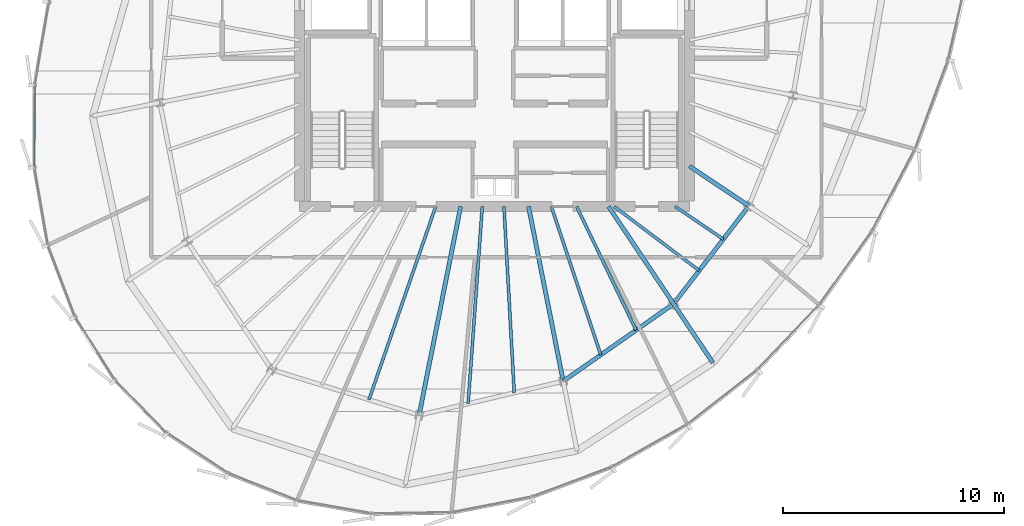
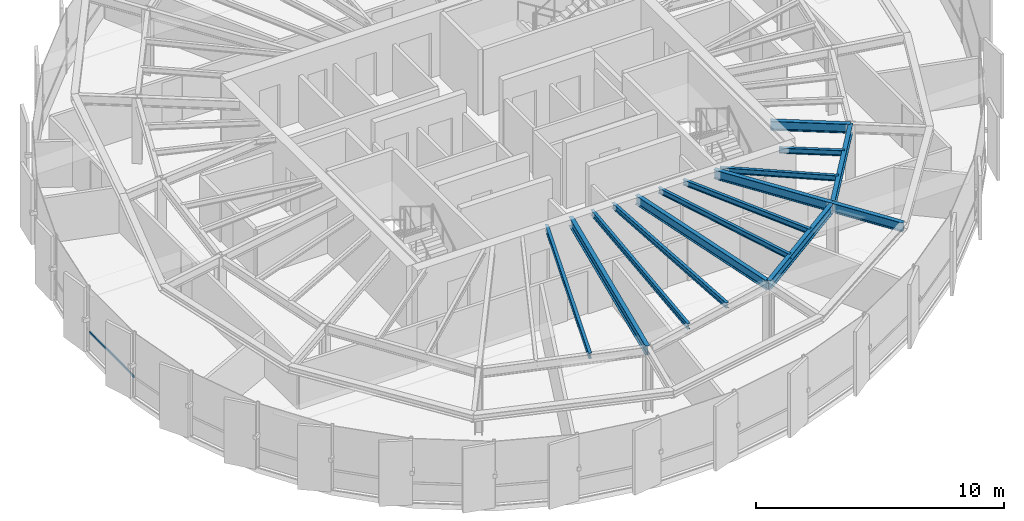
# One storey, part 8 of 33: 14 beams, 1 member, 1 element without a shape of its own.
"""IFC4 building model written with IfcOpenShell, lengths in metres."""

import ifcopenshell
import ifcopenshell.guid

model = None  # the IFC model being written
_history = None  # IfcOwnerHistory: only IFC2X3 demands one
_inside = {}  # id of a spatial element -> (the spatial element, [elements in it])
_under = {}  # id of a project, library or spatial element -> (it, [spatial elements below it])
_declared = {}  # id of a project -> (the project, [libraries it declares])
_typed = {}  # id of a type object -> (the type object, [elements of that type])
_made_of = {}  # id of a material, layer set ... -> (it, [elements and type objects made of it])


def new_model(schema):
    """Start an empty IFC model of exactly this schema.

    Asked for "IFC4X3", IfcOpenShell would pick the latest addendum, in which some entities
    have other attributes; the version numbers below select the first issue.
    IFC2X3 requires an IfcOwnerHistory on every rooted entity: one is made here for all.
    """
    global model, _history
    if schema == "IFC4X3":
        model = ifcopenshell.file(schema_version=(4, 3, 0, 0))
    else:
        model = ifcopenshell.file(schema=schema)
    _inside.clear()
    _under.clear()
    _declared.clear()
    _typed.clear()
    _made_of.clear()
    _history = None
    if model.schema == "IFC2X3":
        org = make("IfcOrganization", Name="unknown")
        user = make(
            "IfcPersonAndOrganization",
            ThePerson=make("IfcPerson", FamilyName="unknown"),
            TheOrganization=org,
        )
        app = make(
            "IfcApplication",
            ApplicationDeveloper=org,
            Version="unknown",
            ApplicationFullName="unknown",
            ApplicationIdentifier="unknown",
        )
        _history = make(
            "IfcOwnerHistory",
            OwningUser=user,
            OwningApplication=app,
            ChangeAction="ADDED",
            CreationDate=0,
        )
    return model


def make(cls, **values):
    """One entity of the class cls with the attributes given. An attribute that is None is left unset."""
    return model.create_entity(
        cls, **{name: value for name, value in values.items() if value is not None}
    )


def rooted(cls, **values):
    """An entity with a GlobalId (a new one), such as an element, a storey or a relation."""
    return make(cls, GlobalId=ifcopenshell.guid.new(), OwnerHistory=_history, **values)


def si_unit(unit_type, name, prefix=None):
    """IfcSIUnit, for example si_unit("LENGTHUNIT", "METRE", prefix="MILLI")."""
    return make("IfcSIUnit", UnitType=unit_type, Prefix=prefix, Name=name)


def assignment(units):
    """IfcUnitAssignment: the units of a project."""
    return None if units is None else make("IfcUnitAssignment", Units=units)


def point(xyz):
    """IfcCartesianPoint."""
    return None if xyz is None else make("IfcCartesianPoint", Coordinates=xyz)


def direction(xyz):
    """IfcDirection."""
    return None if xyz is None else make("IfcDirection", DirectionRatios=xyz)


def frame(location, z_axis=None, x_axis=None):
    """IfcAxis2Placement3D, a coordinate frame: its origin and axes. An axis left out is left unset."""
    return make(
        "IfcAxis2Placement3D",
        Location=point(location),
        Axis=direction(z_axis),
        RefDirection=direction(x_axis),
    )


def frame_2d(location, x_axis=None):
    """IfcAxis2Placement2D, a coordinate frame in the plane: its origin and x axis."""
    return make(
        "IfcAxis2Placement2D", Location=point(location), RefDirection=direction(x_axis)
    )


def origin():
    """The frame at (0, 0, 0) with its axes left unset."""
    return frame((0.0, 0.0, 0.0))


def origin_2d():
    """The frame at (0, 0) in the plane with its x axis left unset."""
    return frame_2d((0.0, 0.0))


def place(relative_to, where):
    """IfcLocalPlacement: puts the frame where relative to a parent placement (None: the world)."""
    return make(
        "IfcLocalPlacement", PlacementRelTo=relative_to, RelativePlacement=where
    )


def context(
    kind, dimensions, precision=None, world=None, true_north=None, identifier=None
):
    """IfcGeometricRepresentationContext, for example the 3D "Model" context."""
    return make(
        "IfcGeometricRepresentationContext",
        ContextIdentifier=identifier,
        ContextType=kind,
        CoordinateSpaceDimension=dimensions,
        Precision=precision,
        WorldCoordinateSystem=world,
        TrueNorth=true_north,
    )


def subcontext(parent, identifier, kind, view, scale=None):
    """IfcGeometricRepresentationSubContext, for example "Body" below "Model"."""
    return make(
        "IfcGeometricRepresentationSubContext",
        ContextIdentifier=identifier,
        ContextType=kind,
        ParentContext=parent,
        TargetScale=scale,
        TargetView=view,
    )


def project(units=None, contexts=None):
    """IfcProject with its units and contexts."""
    return rooted(
        "IfcProject",
        Name="project",
        RepresentationContexts=contexts,
        UnitsInContext=assignment(units),
    )


def spatial(cls, under=None, at=None, **own):
    """A site, building, storey or space (cls), placed at a placement, below another one or the project."""
    s = rooted(cls, ObjectPlacement=at, **own)
    if under is not None:
        _under.setdefault(under.id(), (under, []))[1].append(s)
    return s


def profile(cls, at=None, kind="AREA", **sizes):
    """A parametric profile (cls). Its sizes go by their IFC names, for example OverallWidth=200.0."""
    return make(cls, ProfileType=kind, Position=at, **sizes)


def hollow_rectangle(**sizes):
    """IfcRectangleHollowProfileDef."""
    return profile("IfcRectangleHollowProfileDef", **sizes)


def i_section(**sizes):
    """IfcIShapeProfileDef."""
    return profile("IfcIShapeProfileDef", **sizes)


def extrude(swept, where, along, depth):
    """IfcExtrudedAreaSolid: the profile swept, set in the frame where, extruded along a direction by depth."""
    return make(
        "IfcExtrudedAreaSolid",
        SweptArea=swept,
        Position=where,
        ExtrudedDirection=direction(along),
        Depth=depth,
    )


def shape(context_of_items, identifier, shape_type, items):
    """IfcShapeRepresentation: the items that make up one representation, for example the "Body"."""
    return make(
        "IfcShapeRepresentation",
        ContextOfItems=context_of_items,
        RepresentationIdentifier=identifier,
        RepresentationType=shape_type,
        Items=items,
    )


def source(mapping_origin, context_of_items, identifier, shape_type, items):
    """IfcRepresentationMap: a shape defined once, which mapped items show again and again."""
    return make(
        "IfcRepresentationMap",
        MappingOrigin=mapping_origin,
        MappedRepresentation=shape(context_of_items, identifier, shape_type, items),
    )


def transform(
    local_origin,
    x_axis=None,
    y_axis=None,
    z_axis=None,
    scale=None,
    scale2=None,
    scale3=None,
    uniform=True,
):
    """IfcCartesianTransformationOperator3D, or its non-uniform kind. x_axis, y_axis, z_axis: its Axis1, 2, 3."""
    if uniform:
        return make(
            "IfcCartesianTransformationOperator3D",
            Axis1=direction(x_axis),
            Axis2=direction(y_axis),
            LocalOrigin=point(local_origin),
            Scale=scale,
            Axis3=direction(z_axis),
        )
    return make(
        "IfcCartesianTransformationOperator3DnonUniform",
        Axis1=direction(x_axis),
        Axis2=direction(y_axis),
        LocalOrigin=point(local_origin),
        Scale=scale,
        Axis3=direction(z_axis),
        Scale2=scale2,
        Scale3=scale3,
    )


def mapped(mapping_source, mapping_target):
    """IfcMappedItem: shows the shape of a source again, moved by a transform."""
    return make(
        "IfcMappedItem", MappingSource=mapping_source, MappingTarget=mapping_target
    )


def material(Name=None, Category=None):
    """IfcMaterial."""
    return make("IfcMaterial", Name=Name, Category=Category)


def layer(
    of_material, thickness, ventilated=None, Name=None, Category=None, Priority=None
):
    """IfcMaterialLayer: one layer of a wall or slab, of a material (None: an air gap)."""
    return make(
        "IfcMaterialLayer",
        Material=of_material,
        LayerThickness=thickness,
        IsVentilated=ventilated,
        Name=Name,
        Category=Category,
        Priority=Priority,
    )


def layer_set(layers, Name=None):
    """IfcMaterialLayerSet."""
    return make("IfcMaterialLayerSet", MaterialLayers=layers, LayerSetName=Name)


def material_profile(
    of_material, cross_section, Name=None, Category=None, Priority=None
):
    """IfcMaterialProfile: a cross section and its material."""
    return make(
        "IfcMaterialProfile",
        Name=Name,
        Material=of_material,
        Profile=cross_section,
        Priority=Priority,
        Category=Category,
    )


def profile_set(profiles, Name=None, composite=None):
    """IfcMaterialProfileSet."""
    return make(
        "IfcMaterialProfileSet",
        Name=Name,
        MaterialProfiles=profiles,
        CompositeProfile=composite,
    )


def made_of(thing, what):
    """Note that an element or type object is made of a material, layer set ...; save() writes the relation."""
    if what is not None:
        _made_of.setdefault(what.id(), (what, []))[1].append(thing)
    return thing


def type_object(cls, material=None, **own):
    """A type object (cls), such as IfcWallType, which elements share."""
    return made_of(rooted(cls, **own), material)


def element(
    cls,
    number,
    at=None,
    inside=None,
    cuts=None,
    type_object=None,
    material=None,
    context=None,
    identifier="Body",
    shape_type=None,
    held_by="IfcProductDefinitionShape",
    body=None,
    shapes=None,
    **own,
):
    """One element of the class cls, such as IfcWall. Its Tag is "e" and its number.

    at: its placement. inside: the storey or other place that contains it. cuts: it is an
    opening in that element (IfcRelVoidsElement). A single representation is given by context,
    identifier, shape_type and body (its items); several are given by shapes. held_by: the class
    of the entity that holds the representations. save() writes the other relations.
    """
    e = rooted(cls, Tag="e%d" % number, ObjectPlacement=at, **own)
    if body is not None:
        shapes = [shape(context, identifier, shape_type, body)]
    if shapes is not None:
        e.Representation = make(held_by, Representations=shapes)
    if inside is not None:
        _inside.setdefault(inside.id(), (inside, []))[1].append(e)
    if cuts is not None:
        rooted(
            "IfcRelVoidsElement", RelatingBuildingElement=cuts, RelatedOpeningElement=e
        )
    if type_object is not None:
        _typed.setdefault(type_object.id(), (type_object, []))[1].append(e)
    return made_of(e, material)


def aggregate(whole, parts):
    """IfcRelAggregates: a whole, such as a stair, and the parts it consists of."""
    return rooted("IfcRelAggregates", RelatingObject=whole, RelatedObjects=parts)


def save(model, path):
    """Write the relations noted so far, then the file.

    IfcRelAggregates (storeys below a building ...), IfcRelContainedInSpatialStructure (elements
    in a storey), IfcRelDefinesByType, IfcRelAssociatesMaterial and IfcRelDeclares: one each for
    every whole, place, type object, material and project.
    """
    for whole, parts in _under.values():
        aggregate(whole, parts)
    for where, things in _inside.values():
        rooted(
            "IfcRelContainedInSpatialStructure",
            RelatedElements=things,
            RelatingStructure=where,
        )
    for kind, things in _typed.values():
        rooted("IfcRelDefinesByType", RelatedObjects=things, RelatingType=kind)
    for what, things in _made_of.values():
        rooted("IfcRelAssociatesMaterial", RelatedObjects=things, RelatingMaterial=what)
    for by, libraries in _declared.values():
        rooted("IfcRelDeclares", RelatingContext=by, RelatedDefinitions=libraries)
    model.write(path)


model = new_model("IFC4")

# Units and contexts
model_context = context("Model", 3, precision=1e-05, world=origin(), true_north=direction((0.0, 1.0)))
body_context = subcontext(model_context, "Body", "Model", "MODEL_VIEW")
ifc_project = project(units=[si_unit("LENGTHUNIT", "METRE"), si_unit("AREAUNIT", "SQUARE_METRE"), si_unit("VOLUMEUNIT", "CUBIC_METRE"), si_unit("PLANEANGLEUNIT", "RADIAN"), si_unit("MASSUNIT", "GRAM", prefix="KILO"), si_unit("THERMODYNAMICTEMPERATUREUNIT", "KELVIN")], contexts=[model_context])

# Site, building, storey
site_placement = place(None, origin())
site = spatial("IfcSite", under=ifc_project, at=site_placement, CompositionType="ELEMENT")
building_placement = place(site_placement, origin())
building = spatial("IfcBuilding", under=site, at=building_placement, Name="Kethvar Cultural Tower", CompositionType="ELEMENT")
storey_placement = place(building_placement, frame((0.0, 0.0, 238.75)))
storey = spatial("IfcBuildingStorey", under=building, at=storey_placement, Name="L62", CompositionType="ELEMENT", Elevation=238.75)

# Beams
ifc_material_1 = material(Name="Steel S355J2", Category="steel")
ifc_material_profile_1 = material_profile(ifc_material_1, i_section(OverallWidth=0.18994140625, OverallDepth=0.449951171875, WebThickness=0.009521484375, FlangeThickness=0.0146484375, FilletRadius=0.02099609375, at=origin_2d()), Name="Steel S355J2 — IPE450")
ifc_profile_set_1 = profile_set([ifc_material_profile_1], Name="Steel S355J2 — IPE450")
beam_type_1 = type_object("IfcBeamType", Name="BM-IPE450", PredefinedType="BEAM", material=ifc_profile_set_1)
shared_shape_1 = source(origin(), body_context, "Body", "SweptSolid", [
    extrude(i_section(OverallWidth=0.18994140625, OverallDepth=0.449951171875, WebThickness=0.009521484375, FlangeThickness=0.0146484375, FilletRadius=0.02099609375, at=origin_2d()), origin(), (0.0, 0.0, 1.0), 3.199951171875),
])
beam_1_placement = place(storey_placement, frame((54.885009765625, 15.7001953125, 2.98291015625), z_axis=(0.555492222339, -0.83152173208, 0.0), x_axis=(0.83152173208, 0.555492222339, 0.0)))
element("IfcBeam", 1, at=beam_1_placement, inside=storey, type_object=beam_type_1, Name="L62 Perimeter Cantilever Beam RC-14", PredefinedType="BEAM", context=body_context, shape_type="MappedRepresentation", body=[
    mapped(shared_shape_1, transform((0.0, 0.0, 0.0), scale=1.0)),
])
shared_shape_2 = source(origin(), body_context, "Body", "SweptSolid", [
    extrude(i_section(OverallWidth=0.18994140625, OverallDepth=0.449951171875, WebThickness=0.009521484375, FlangeThickness=0.0146484375, FilletRadius=0.02099609375, at=origin_2d()), origin(), (0.0, 0.0, 1.0), 9.613525390625),
])
beam_2_placement = place(storey_placement, frame((45.268310546875, 20.10009765625, 2.98291015625), z_axis=(-0.195090428816, -0.980785259159, 0.0), x_axis=(0.980785259159, -0.195090428816, 0.0)))
element("IfcBeam", 2, at=beam_2_placement, inside=storey, type_object=beam_type_1, Name="L62 Primary Radial Beam RB-12", PredefinedType="BEAM", context=body_context, shape_type="MappedRepresentation", body=[
    mapped(shared_shape_2, transform((0.0, 0.0, 0.0), scale=1.0)),
])
shared_shape_3 = source(origin(), body_context, "Body", "SweptSolid", [
    extrude(i_section(OverallWidth=0.18994140625, OverallDepth=0.449951171875, WebThickness=0.009521484375, FlangeThickness=0.0146484375, FilletRadius=0.02099609375, at=origin_2d()), origin(), (0.0, 0.0, 1.0), 8.0478515625),
])
beam_3_placement = place(storey_placement, frame((48.33154296875, 20.10009765625, 2.98291015625), z_axis=(0.195089278796, -0.980785487912, 0.0), x_axis=(0.980785487912, 0.195089278796, 0.0)))
element("IfcBeam", 3, at=beam_3_placement, inside=storey, type_object=beam_type_1, Name="L62 Primary Radial Beam RB-13", PredefinedType="BEAM", context=body_context, shape_type="MappedRepresentation", body=[
    mapped(shared_shape_3, transform((0.0, 0.0, 0.0), scale=1.0)),
])
shared_shape_4 = source(origin(), body_context, "Body", "SweptSolid", [
    extrude(i_section(OverallWidth=0.18994140625, OverallDepth=0.449951171875, WebThickness=0.009521484375, FlangeThickness=0.0146484375, FilletRadius=0.02099609375, at=origin_2d()), origin(), (0.0, 0.0, 1.0), 5.291748046875),
])
beam_4_placement = place(storey_placement, frame((51.945068359375, 20.10009765625, 2.98291015625), z_axis=(0.555572931011, -0.831467809556, 0.0), x_axis=(0.831467809556, 0.555572931011, 0.0)))
element("IfcBeam", 4, at=beam_4_placement, inside=storey, type_object=beam_type_1, Name="L62 Primary Radial Beam RB-14", PredefinedType="BEAM", context=body_context, shape_type="MappedRepresentation", body=[
    mapped(shared_shape_4, transform((0.0, 0.0, 0.0), scale=1.0)),
])
shared_shape_5 = source(origin(), body_context, "Body", "SweptSolid", [
    extrude(i_section(OverallWidth=0.18994140625, OverallDepth=0.449951171875, WebThickness=0.009521484375, FlangeThickness=0.0146484375, FilletRadius=0.02099609375, at=origin_2d()), origin(), (0.0, 0.0, 1.0), 3.231689453125),
])
beam_5_placement = place(storey_placement, frame((55.60009765625, 21.919921875, 2.98291015625), z_axis=(0.831468708055, -0.55557158632, 0.0), x_axis=(0.55557158632, 0.831468708055, 0.0)))
element("IfcBeam", 5, at=beam_5_placement, inside=storey, type_object=beam_type_1, Name="L62 Primary Radial Beam RB-15", PredefinedType="BEAM", context=body_context, shape_type="MappedRepresentation", body=[
    mapped(shared_shape_5, transform((0.0, 0.0, 0.0), scale=1.0)),
])
ifc_material_profile_2 = material_profile(ifc_material_1, i_section(OverallWidth=0.135009765625, OverallDepth=0.27001953125, WebThickness=0.006591796875, FlangeThickness=0.01025390625, FilletRadius=0.014892578125, at=origin_2d()), Name="Steel S355J2 — IPE270")
ifc_profile_set_2 = profile_set([ifc_material_profile_2], Name="Steel S355J2 — IPE270")
beam_type_2 = type_object("IfcBeamType", Name="BM-J270", PredefinedType="JOIST", material=ifc_profile_set_2)
shared_shape_6 = source(origin(), body_context, "Body", "SweptSolid", [
    extrude(i_section(OverallWidth=0.135009765625, OverallDepth=0.27001953125, WebThickness=0.006591796875, FlangeThickness=0.01025390625, FilletRadius=0.014892578125, at=origin_2d()), origin(), (0.0, 0.0, 1.0), 9.234130859375),
])
beam_6_placement = place(storey_placement, frame((44.1416015625, 20.10009765625, 3.072998046875), z_axis=(-0.326362208058, -0.945244787953, 0.0), x_axis=(0.945244787953, -0.326362208058, 0.0)))
element("IfcBeam", 6, at=beam_6_placement, inside=storey, type_object=beam_type_2, Name="L62 Composite Floor Joist J-11B", PredefinedType="JOIST", context=body_context, shape_type="MappedRepresentation", body=[
    mapped(shared_shape_6, transform((0.0, 0.0, 0.0), scale=1.0)),
])
shared_shape_7 = source(origin(), body_context, "Body", "SweptSolid", [
    extrude(i_section(OverallWidth=0.135009765625, OverallDepth=0.27001953125, WebThickness=0.006591796875, FlangeThickness=0.01025390625, FilletRadius=0.014892578125, at=origin_2d()), origin(), (0.0, 0.0, 1.0), 8.9296875),
])
beam_7_placement = place(storey_placement, frame((46.246337890625, 20.10009765625, 3.072998046875), z_axis=(-0.071713352262, -0.99742528297, 0.0), x_axis=(0.99742528297, -0.071713352262, 0.0)))
element("IfcBeam", 7, at=beam_7_placement, inside=storey, type_object=beam_type_2, Name="L62 Composite Floor Joist J-12A", PredefinedType="JOIST", context=body_context, shape_type="MappedRepresentation", body=[
    mapped(shared_shape_7, transform((0.0, 0.0, 0.0), scale=1.0)),
])
shared_shape_8 = source(origin(), body_context, "Body", "SweptSolid", [
    extrude(i_section(OverallWidth=0.135009765625, OverallDepth=0.27001953125, WebThickness=0.006591796875, FlangeThickness=0.01025390625, FilletRadius=0.014892578125, at=origin_2d()), origin(), (0.0, 0.0, 1.0), 8.427978515625),
])
beam_8_placement = place(storey_placement, frame((47.224609375, 20.10009765625, 3.072998046875), z_axis=(0.055067321535, -0.998482643865, 0.0), x_axis=(0.998482643865, 0.055067321535, 0.0)))
element("IfcBeam", 8, at=beam_8_placement, inside=storey, type_object=beam_type_2, Name="L62 Composite Floor Joist J-12B", PredefinedType="JOIST", context=body_context, shape_type="MappedRepresentation", body=[
    mapped(shared_shape_8, transform((0.0, 0.0, 0.0), scale=1.0)),
])
shared_shape_9 = source(origin(), body_context, "Body", "SweptSolid", [
    extrude(i_section(OverallWidth=0.18994140625, OverallDepth=0.449951171875, WebThickness=0.009521484375, FlangeThickness=0.0146484375, FilletRadius=0.02099609375, at=origin_2d()), origin(), (0.0, 0.0, 1.0), 6.0859375),
])
beam_9_placement = place(storey_placement, frame((49.901611328125, 12.206787109375, 2.98291015625), z_axis=(0.818843498091, 0.57401683393, 0.0), x_axis=(-0.57401683393, 0.818843498091, 0.0)))
element("IfcBeam", 9, at=beam_9_placement, inside=storey, type_object=beam_type_1, Name="L62 Column Ring Tie Beam CR-13", PredefinedType="BEAM", context=body_context, shape_type="MappedRepresentation", body=[
    mapped(shared_shape_9, transform((0.0, 0.0, 0.0), scale=1.0)),
])
shared_shape_10 = source(origin(), body_context, "Body", "SweptSolid", [
    extrude(i_section(OverallWidth=0.135009765625, OverallDepth=0.27001953125, WebThickness=0.006591796875, FlangeThickness=0.01025390625, FilletRadius=0.014892578125, at=origin_2d()), origin(), (0.0, 0.0, 1.0), 7.0673828125),
])
beam_10_placement = place(storey_placement, frame((49.363525390625, 20.10009765625, 3.072998046875), z_axis=(0.315875389768, -0.948800684095, 0.0), x_axis=(0.948800684095, 0.315875389768, 0.0)))
element("IfcBeam", 10, at=beam_10_placement, inside=storey, type_object=beam_type_2, Name="L62 Composite Floor Joist J-13A", PredefinedType="JOIST", context=body_context, shape_type="MappedRepresentation", body=[
    mapped(shared_shape_10, transform((0.0, 0.0, 0.0), scale=1.0)),
])
shared_shape_11 = source(origin(), body_context, "Body", "SweptSolid", [
    extrude(i_section(OverallWidth=0.135009765625, OverallDepth=0.27001953125, WebThickness=0.006591796875, FlangeThickness=0.01025390625, FilletRadius=0.014892578125, at=origin_2d()), origin(), (0.0, 0.0, 1.0), 6.2001953125),
])
beam_11_placement = place(storey_placement, frame((50.50341796875, 20.10009765625, 3.072998046875), z_axis=(0.433410678328, -0.901196529017, 0.0), x_axis=(0.901196529017, 0.433410678328, 0.0)))
element("IfcBeam", 11, at=beam_11_placement, inside=storey, type_object=beam_type_2, Name="L62 Composite Floor Joist J-13B", PredefinedType="JOIST", context=body_context, shape_type="MappedRepresentation", body=[
    mapped(shared_shape_11, transform((0.0, 0.0, 0.0), scale=1.0)),
])
shared_shape_12 = source(origin(), body_context, "Body", "SweptSolid", [
    extrude(i_section(OverallWidth=0.18994140625, OverallDepth=0.449951171875, WebThickness=0.009521484375, FlangeThickness=0.0146484375, FilletRadius=0.02099609375, at=origin_2d()), origin(), (0.0, 0.0, 1.0), 5.5810546875),
])
beam_12_placement = place(storey_placement, frame((54.885009765625, 15.7001953125, 2.98291015625), z_axis=(0.60957334008, 0.79272967843, 0.0), x_axis=(-0.79272967843, 0.60957334008, 0.0)))
element("IfcBeam", 12, at=beam_12_placement, inside=storey, type_object=beam_type_1, Name="L62 Column Ring Tie Beam CR-14", PredefinedType="BEAM", context=body_context, shape_type="MappedRepresentation", body=[
    mapped(shared_shape_12, transform((0.0, 0.0, 0.0), scale=1.0)),
])
shared_shape_13 = source(origin(), body_context, "Body", "SweptSolid", [
    extrude(i_section(OverallWidth=0.135009765625, OverallDepth=0.27001953125, WebThickness=0.006591796875, FlangeThickness=0.01025390625, FilletRadius=0.014892578125, at=origin_2d()), origin(), (0.0, 0.0, 1.0), 4.810791015625),
])
beam_13_placement = place(storey_placement, frame((52.199951171875, 20.10009765625, 3.072998046875), z_axis=(0.798542152732, -0.601938892505, 0.0), x_axis=(0.601938892505, 0.798542152732, 0.0)))
element("IfcBeam", 13, at=beam_13_placement, inside=storey, type_object=beam_type_2, Name="L62 Composite Floor Joist J-14A", PredefinedType="JOIST", context=body_context, shape_type="MappedRepresentation", body=[
    mapped(shared_shape_13, transform((0.0, 0.0, 0.0), scale=1.0)),
])
shared_shape_14 = source(origin(), body_context, "Body", "SweptSolid", [
    extrude(i_section(OverallWidth=0.135009765625, OverallDepth=0.27001953125, WebThickness=0.006591796875, FlangeThickness=0.01025390625, FilletRadius=0.014892578125, at=origin_2d()), origin(), (0.0, 0.0, 1.0), 2.635009765625),
])
beam_14_placement = place(storey_placement, frame((54.949951171875, 20.10009765625, 3.072998046875), z_axis=(0.827446562598, -0.561544464887, 0.0), x_axis=(0.561544464887, 0.827446562598, 0.0)))
element("IfcBeam", 14, at=beam_14_placement, inside=storey, type_object=beam_type_2, Name="L62 Composite Floor Joist J-14B", PredefinedType="JOIST", context=body_context, shape_type="MappedRepresentation", body=[
    mapped(shared_shape_14, transform((0.0, 0.0, 0.0), scale=1.0)),
])

# Curtain wall, member
ifc_material_2 = material(Name="Aluminium 6063-T6", Category="aluminium")
ifc_layer = layer(ifc_material_2, 0.179931640625, Name="Aluminium 6063-T6", Category="aluminium")
ifc_layer_set = layer_set([ifc_layer], Name="Aluminium 6063-T6 (180 mm)")
curtain_wall_type = type_object("IfcCurtainWallType", Name="CW-SYS-05-Z56", PredefinedType="NOTDEFINED", material=ifc_layer_set)
curtain_wall_placement = place(storey_placement, origin())
curtain_wall = element("IfcCurtainWall", 15, at=curtain_wall_placement, inside=storey, type_object=curtain_wall_type, Name="L62 Curtain Wall Run 03", PredefinedType="NOTDEFINED")
ifc_material_profile_3 = material_profile(ifc_material_2, hollow_rectangle(XDim=0.050048828125, YDim=0.10009765625, WallThickness=0.00390625, at=origin_2d()), Name="Aluminium 6063-T6 — RHS100x50x4")
ifc_profile_set_3 = profile_set([ifc_material_profile_3], Name="Aluminium 6063-T6 — RHS100x50x4")
member_type = type_object("IfcMemberType", Name="CW-SYS-05-Z56-TRN", PredefinedType="USERDEFINED", material=ifc_profile_set_3)
shared_shape_15 = source(origin(), body_context, "Body", "SweptSolid", [
    extrude(hollow_rectangle(XDim=0.050048828125, YDim=0.10009765625, WallThickness=0.00390625, at=origin_2d()), origin(), (0.0, 0.0, 1.0), 3.64111328125),
])
member_placement = place(storey_placement, frame((26.04052734375, 25.542724609375, 0.949951171875), z_axis=(-0.004425328801, -0.999990208185, 0.0), x_axis=(0.999990208185, -0.004425328801, 0.0)))
member = element("IfcMember", 16, at=member_placement, type_object=member_type, Name="CW-L62-R03 Transom 2", ObjectType="TRANSOM", PredefinedType="USERDEFINED", context=body_context, shape_type="MappedRepresentation", body=[
    mapped(shared_shape_15, transform((0.0, 0.0, 0.0), scale=1.0)),
])
aggregate(curtain_wall, [member])

save(model, "model.ifc")
